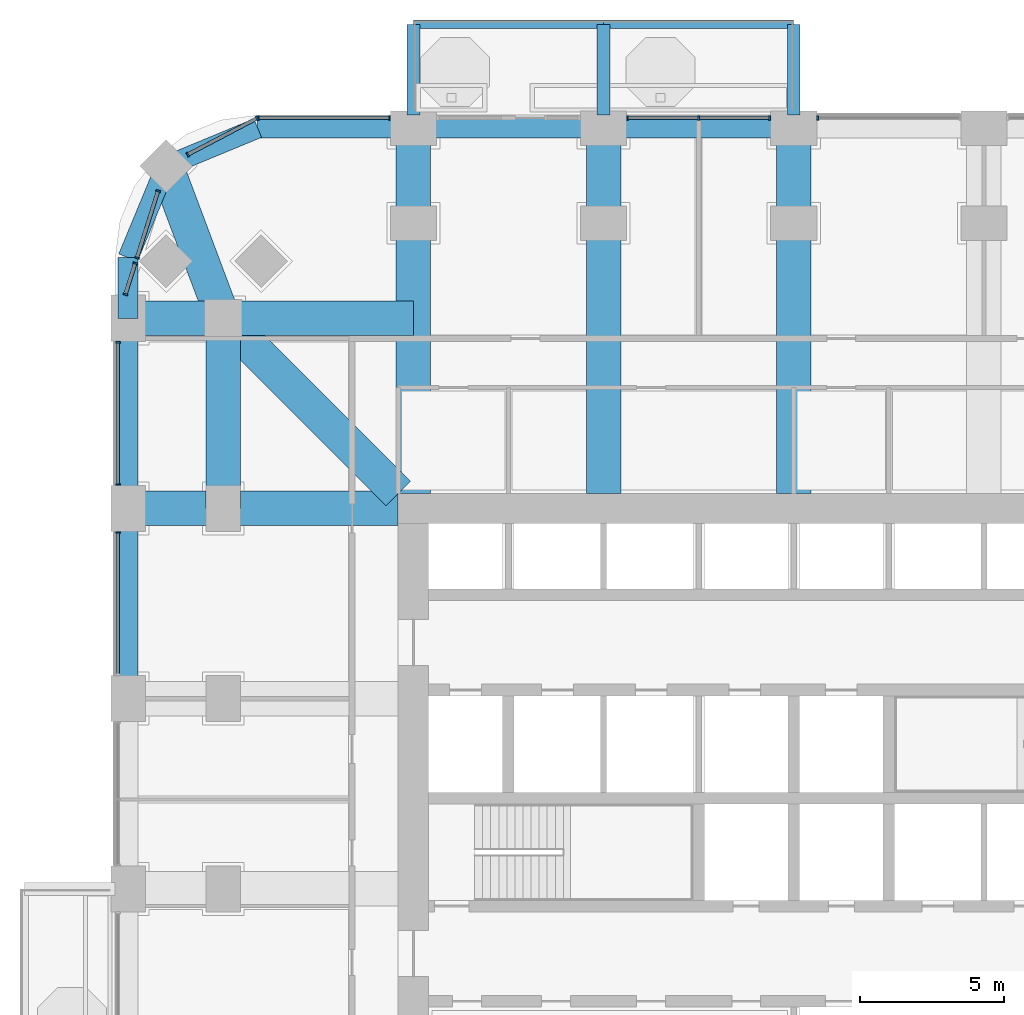
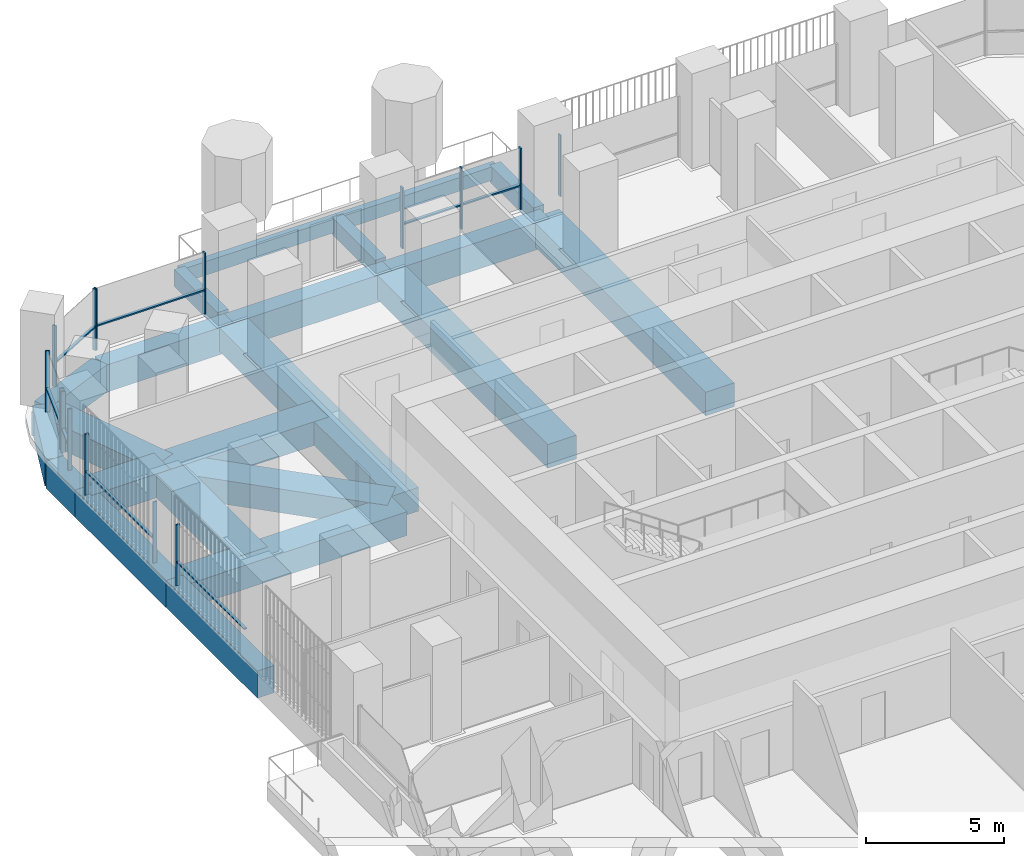
# One storey, part 6 of 21: 23 members, 22 beams, 8 elements without a shape of their own.
"""IFC4 building model written with IfcOpenShell, lengths in metres."""

from ifc_helpers import new_model, si_unit, direction, frame, origin, origin_2d, place, context, subcontext, project, spatial, rectangle, extrude, material, material_profile, profile_set, type_object, element, aggregate, save


model = new_model("IFC4")

# Units and contexts
model_context = context("Model", 3, precision=1e-05, world=origin(), true_north=direction((0.0, 1.0)))
body_context = subcontext(model_context, "Body", "Model", "MODEL_VIEW")
ifc_project = project(units=[si_unit("LENGTHUNIT", "METRE"), si_unit("AREAUNIT", "SQUARE_METRE"), si_unit("VOLUMEUNIT", "CUBIC_METRE"), si_unit("PLANEANGLEUNIT", "RADIAN"), si_unit("MASSUNIT", "GRAM", prefix="KILO")], contexts=[model_context])

# Site, building, storey
site_placement = place(None, origin())
site = spatial("IfcSite", under=ifc_project, at=site_placement, CompositionType="ELEMENT")
building_placement = place(site_placement, origin())
building = spatial("IfcBuilding", under=site, at=building_placement, Name="Cobogo Forest Laboratory Tower", CompositionType="ELEMENT")
storey_placement = place(building_placement, frame((0.0, 0.0, 99.0)))
storey = spatial("IfcBuildingStorey", under=building, at=storey_placement, Name="L22", CompositionType="ELEMENT", Elevation=99.0)

# Beams
ifc_material_1 = material(Name="Concrete HA-40 (C40/50)", Category="concrete")
ifc_material_profile_1 = material_profile(ifc_material_1, rectangle(XDim=0.449951171875, YDim=0.75, at=origin_2d()), Name="RC 450x750")
ifc_profile_set_1 = profile_set([ifc_material_profile_1], Name="Concrete HA-40 (C40/50)")
beam_type_1 = type_object("IfcBeamType", Name="Balcony cantilever beam 450x750", PredefinedType="BEAM", material=ifc_profile_set_1)
for number, where, z_axis, x_axis, name in (
    (1, (13.199951171875, 46.64990234375, -0.625), (0.0, 1.0, 0.0), (-1.0, 0.0, 0.0), "CB1 BAL-N1-C1 L22"),
    (2, (19.800048828125, 46.64990234375, -0.625), (0.0, 1.0, 0.0), (-1.0, 0.0, 0.0), "CB1 BAL-N1-C2 L22"),
    (3, (26.39990234375, 46.64990234375, -0.625), (0.0, 1.0, 0.0), (-1.0, 0.0, 0.0), "CB1 BAL-N1-C3 L22"),
):
    element("IfcBeam", number, at=place(storey_placement, frame(where, z_axis=z_axis, x_axis=x_axis)), inside=storey, type_object=beam_type_1, Name=name, PredefinedType="BEAM", context=body_context, shape_type="SweptSolid", body=[
        extrude(rectangle(XDim=0.449951171875, YDim=0.75, at=origin_2d()), origin(), (0.0, 0.0, 1.0), 3.150146484375),
    ])
ifc_material_profile_2 = material_profile(ifc_material_1, rectangle(XDim=0.300048828125, YDim=0.60009765625, at=origin_2d()), Name="RC 300x600")
ifc_profile_set_2 = profile_set([ifc_material_profile_2], Name="Concrete HA-40 (C40/50)")
beam_type_2 = type_object("IfcBeamType", Name="Balcony edge beam 300x600", PredefinedType="BEAM", material=ifc_profile_set_2)
beam_1_placement = place(storey_placement, frame((13.199951171875, 49.800048828125, -0.550048828125), z_axis=(1.0, 0.0, 0.0), x_axis=(0.0, 1.0, 0.0)))
element("IfcBeam", 4, at=beam_1_placement, inside=storey, type_object=beam_type_2, Name="BB1 BAL-N1-T1 L22", PredefinedType="BEAM", context=body_context, shape_type="SweptSolid", body=[
    extrude(rectangle(XDim=0.300048828125, YDim=0.60009765625, at=origin_2d()), origin(), (0.0, 0.0, 1.0), 6.60009765625),
])
beam_2_placement = place(storey_placement, frame((19.800048828125, 49.800048828125, -0.550048828125), z_axis=(1.0, 0.0, 0.0), x_axis=(0.0, 1.0, 0.0)))
element("IfcBeam", 5, at=beam_2_placement, inside=storey, type_object=beam_type_2, Name="BB1 BAL-N1-T2 L22", PredefinedType="BEAM", context=body_context, shape_type="SweptSolid", body=[
    extrude(rectangle(XDim=0.300048828125, YDim=0.60009765625, at=origin_2d()), origin(), (0.0, 0.0, 1.0), 6.599853515625),
])
ifc_material_profile_3 = material_profile(ifc_material_1, rectangle(XDim=1.199951171875, YDim=1.050048828125, at=origin_2d()), Name="RC 1200x1050")
ifc_profile_set_3 = profile_set([ifc_material_profile_3], Name="Concrete HA-40 (C40/50)")
beam_type_3 = type_object("IfcBeamType", Name="Laboratory floor wide beam 1200x1050", PredefinedType="BEAM", material=ifc_profile_set_3)
for number, where, z_axis, x_axis, name in (
    (6, (13.199951171875, 33.52490234375, -0.824951171875), (0.0, 1.0, 0.0), (-1.0, 0.0, 0.0), "RB1 R-3-N L22"),
    (7, (19.800048828125, 33.52490234375, -0.824951171875), (0.0, 1.0, 0.0), (-1.0, 0.0, 0.0), "RB1 R-4-N L22"),
    (8, (26.39990234375, 33.52490234375, -0.824951171875), (0.0, 1.0, 0.0), (-1.0, 0.0, 0.0), "RB1 R-5-N L22"),
):
    element("IfcBeam", number, at=place(storey_placement, frame(where, z_axis=z_axis, x_axis=x_axis)), inside=storey, type_object=beam_type_3, Name=name, PredefinedType="BEAM", context=body_context, shape_type="SweptSolid", body=[
        extrude(rectangle(XDim=1.199951171875, YDim=1.050048828125, at=origin_2d()), origin(), (0.0, 0.0, 1.0), 12.675048828125),
    ])
beam_3_placement = place(storey_placement, frame((12.675048828125, 33.0, -0.824951171875), z_axis=(-1.0, 0.0, 0.0), x_axis=(0.0, -1.0, 0.0)))
element("IfcBeam", 9, at=beam_3_placement, inside=storey, type_object=beam_type_3, Name="RB1 R-F-W L22", PredefinedType="BEAM", context=body_context, shape_type="SweptSolid", body=[
    extrude(rectangle(XDim=1.199951171875, YDim=1.050048828125, at=origin_2d()), origin(), (0.0, 0.0, 1.0), 9.375),
])
beam_4_placement = place(storey_placement, frame((6.60009765625, 39.60009765625, -0.824951171875), z_axis=(0.0, -1.0, 0.0), x_axis=(1.0, 0.0, 0.0)))
element("IfcBeam", 10, at=beam_4_placement, inside=storey, type_object=beam_type_3, Name="RB1 G-NW-XC L22", PredefinedType="BEAM", context=body_context, shape_type="SweptSolid", body=[
    extrude(rectangle(XDim=1.199951171875, YDim=1.050048828125, at=origin_2d()), origin(), (0.0, 0.0, 1.0), 6.60009765625),
])
beam_5_placement = place(storey_placement, frame((3.300048828125, 39.60009765625, -0.824951171875), z_axis=(1.0, 0.0, 0.0), x_axis=(0.0, 1.0, 0.0)))
element("IfcBeam", 11, at=beam_5_placement, inside=storey, type_object=beam_type_3, Name="RB1 G-NW-YF L22", PredefinedType="BEAM", context=body_context, shape_type="SweptSolid", body=[
    extrude(rectangle(XDim=1.199951171875, YDim=1.050048828125, at=origin_2d()), origin(), (0.0, 0.0, 1.0), 3.300048828125),
])
beam_6_placement = place(storey_placement, frame((6.60009765625, 39.60009765625, -0.824951171875), z_axis=(1.0, 0.0, 0.0), x_axis=(0.0, 1.0, 0.0)))
element("IfcBeam", 12, at=beam_6_placement, inside=storey, type_object=beam_type_3, Name="RB1 G-NW-YC L22", PredefinedType="BEAM", context=body_context, shape_type="SweptSolid", body=[
    extrude(rectangle(XDim=1.199951171875, YDim=1.050048828125, at=origin_2d()), origin(), (0.0, 0.0, 1.0), 6.599853515625),
])
beam_7_placement = place(storey_placement, frame((4.617919921875, 44.882080078125, -0.824951171875), z_axis=(0.351346325373, -0.936245565889, 0.0), x_axis=(0.936245565889, 0.351346325373, 0.0)))
element("IfcBeam", 13, at=beam_7_placement, inside=storey, type_object=beam_type_3, Name="RB1 G-NW-D1 L22", PredefinedType="BEAM", context=body_context, shape_type="SweptSolid", body=[
    extrude(rectangle(XDim=1.199951171875, YDim=1.050048828125, at=origin_2d()), origin(), (0.0, 0.0, 1.0), 5.6416015625),
])
beam_8_placement = place(storey_placement, frame((6.60009765625, 39.60009765625, -0.824951171875), z_axis=(0.707092572697, -0.70712098939, 0.0), x_axis=(0.70712098939, 0.707092572697, 0.0)))
element("IfcBeam", 14, at=beam_8_placement, inside=storey, type_object=beam_type_3, Name="RB1 G-NW-D2 L22", PredefinedType="BEAM", context=body_context, shape_type="SweptSolid", body=[
    extrude(rectangle(XDim=1.199951171875, YDim=1.050048828125, at=origin_2d()), origin(), (0.0, 0.0, 1.0), 8.591552734375),
])

# Curtain wall, member
ifc_material_2 = material(Name="Aluminium curtain wall", Category="aluminium")
curtain_wall_type = type_object("IfcCurtainWallType", Name="CW-1 unitised curtain wall, clear glazing, laboratory floors zones A and B", PredefinedType="USERDEFINED", material=ifc_material_2)
curtain_wall_1_placement = place(storey_placement, origin())
curtain_wall_1 = element("IfcCurtainWall", 15, at=curtain_wall_1_placement, inside=storey, type_object=curtain_wall_type, Name="Curtain wall 20 L22", ObjectType="UNITISED CURTAIN WALL", PredefinedType="USERDEFINED")
ifc_material_3 = material(Name="Aluminium mullion", Category="aluminium")
ifc_material_profile_4 = material_profile(ifc_material_3, rectangle(XDim=0.06005859375, YDim=0.159912109375, at=origin_2d()), Name="AL 60x160")
ifc_profile_set_4 = profile_set([ifc_material_profile_4], Name="Aluminium mullion")
member_type_1 = type_object("IfcMemberType", Name="MU-1 aluminium mullion 60x160", PredefinedType="MULLION", material=ifc_profile_set_4)
member_1_placement = place(storey_placement, frame((27.22998046875, 46.550048828125, 0.0), z_axis=(0.0, 0.0, 1.0), x_axis=(-1.0, 0.0, 0.0)))
member_1 = element("IfcMember", 16, at=member_1_placement, type_object=member_type_1, Name="CW-1 mullion 2", PredefinedType="MULLION", context=body_context, shape_type="SweptSolid", body=[
    extrude(rectangle(XDim=0.06005859375, YDim=0.159912109375, at=origin_2d()), origin(), (0.0, 0.0, 1.0), 2.699951171875),
])
aggregate(curtain_wall_1, [member_1])

# Curtain wall, members
curtain_wall_2_placement = place(storey_placement, origin())
curtain_wall_2 = element("IfcCurtainWall", 17, at=curtain_wall_2_placement, inside=storey, type_object=curtain_wall_type, Name="Curtain wall 21 L22", ObjectType="UNITISED CURTAIN WALL", PredefinedType="USERDEFINED")
member_2_placement = place(storey_placement, frame((25.570068359375, 46.550048828125, 0.0), z_axis=(0.0, 0.0, 1.0), x_axis=(-1.0, 0.0, 0.0)))
member_2 = element("IfcMember", 18, at=member_2_placement, type_object=member_type_1, Name="CW-1 mullion 1", PredefinedType="MULLION", context=body_context, shape_type="SweptSolid", body=[
    extrude(rectangle(XDim=0.06005859375, YDim=0.159912109375, at=origin_2d()), origin(), (0.0, 0.0, 1.0), 2.699951171875),
])
member_3_placement = place(storey_placement, frame((23.10009765625, 46.550048828125, 0.0), z_axis=(0.0, 0.0, 1.0), x_axis=(-1.0, 0.0, 0.0)))
member_3 = element("IfcMember", 19, at=member_3_placement, type_object=member_type_1, Name="CW-1 mullion 2", PredefinedType="MULLION", context=body_context, shape_type="SweptSolid", body=[
    extrude(rectangle(XDim=0.06005859375, YDim=0.159912109375, at=origin_2d()), origin(), (0.0, 0.0, 1.0), 2.699951171875),
])
member_4_placement = place(storey_placement, frame((20.6298828125, 46.550048828125, 0.0), z_axis=(0.0, 0.0, 1.0), x_axis=(-1.0, 0.0, 0.0)))
member_4 = element("IfcMember", 20, at=member_4_placement, type_object=member_type_1, Name="CW-1 mullion 3", PredefinedType="MULLION", context=body_context, shape_type="SweptSolid", body=[
    extrude(rectangle(XDim=0.06005859375, YDim=0.159912109375, at=origin_2d()), origin(), (0.0, 0.0, 1.0), 2.699951171875),
])

curtain_wall_3_placement = place(storey_placement, origin())
curtain_wall_3 = element("IfcCurtainWall", 21, at=curtain_wall_3_placement, inside=storey, type_object=curtain_wall_type, Name="Curtain wall 23 L22", ObjectType="UNITISED CURTAIN WALL", PredefinedType="USERDEFINED")
member_5_placement = place(storey_placement, frame((12.3701171875, 46.550048828125, 0.0), z_axis=(0.0, 0.0, 1.0), x_axis=(-1.0, 0.0, 0.0)))
member_5 = element("IfcMember", 22, at=member_5_placement, type_object=member_type_1, Name="CW-1 mullion 1", PredefinedType="MULLION", context=body_context, shape_type="SweptSolid", body=[
    extrude(rectangle(XDim=0.06005859375, YDim=0.159912109375, at=origin_2d()), origin(), (0.0, 0.0, 1.0), 2.699951171875),
])
member_6_placement = place(storey_placement, frame((7.830078125, 46.550048828125, 0.0), z_axis=(0.0, 0.0, 1.0), x_axis=(-1.0, 0.0, 0.0)))
member_6 = element("IfcMember", 23, at=member_6_placement, type_object=member_type_1, Name="CW-1 mullion 2", PredefinedType="MULLION", context=body_context, shape_type="SweptSolid", body=[
    extrude(rectangle(XDim=0.06005859375, YDim=0.159912109375, at=origin_2d()), origin(), (0.0, 0.0, 1.0), 2.699951171875),
])

curtain_wall_4_placement = place(storey_placement, origin())
curtain_wall_4 = element("IfcCurtainWall", 24, at=curtain_wall_4_placement, inside=storey, type_object=curtain_wall_type, Name="Curtain wall 24 L22", ObjectType="UNITISED CURTAIN WALL", PredefinedType="USERDEFINED")
member_7_placement = place(storey_placement, frame((7.7734375, 46.5361328125, 0.0), z_axis=(0.0, 0.0, 1.0), x_axis=(-0.885686547075, -0.464283685186, 0.0)))
member_7 = element("IfcMember", 25, at=member_7_placement, type_object=member_type_1, Name="CW-1 mullion 1", PredefinedType="MULLION", context=body_context, shape_type="SweptSolid", body=[
    extrude(rectangle(XDim=0.06005859375, YDim=0.159912109375, at=origin_2d()), origin(), (0.0, 0.0, 1.0), 2.699951171875),
])
member_8_placement = place(storey_placement, frame((5.368408203125, 45.275390625, 0.0), z_axis=(0.0, 0.0, 1.0), x_axis=(-0.885686547075, -0.464283685186, 0.0)))
member_8 = element("IfcMember", 26, at=member_8_placement, type_object=member_type_1, Name="CW-1 mullion 2", PredefinedType="MULLION", context=body_context, shape_type="SweptSolid", body=[
    extrude(rectangle(XDim=0.06005859375, YDim=0.159912109375, at=origin_2d()), origin(), (0.0, 0.0, 1.0), 2.699951171875),
])

curtain_wall_5_placement = place(storey_placement, origin())
curtain_wall_5 = element("IfcCurtainWall", 27, at=curtain_wall_5_placement, inside=storey, type_object=curtain_wall_type, Name="Curtain wall 25 L22", ObjectType="UNITISED CURTAIN WALL", PredefinedType="USERDEFINED")
member_9_placement = place(storey_placement, frame((4.34423828125, 44.01513671875, 0.0), z_axis=(0.0, 0.0, 1.0), x_axis=(-0.301135291996, -0.953581425949, 0.0)))
member_9 = element("IfcMember", 28, at=member_9_placement, type_object=member_type_1, Name="CW-1 mullion 1", PredefinedType="MULLION", context=body_context, shape_type="SweptSolid", body=[
    extrude(rectangle(XDim=0.06005859375, YDim=0.159912109375, at=origin_2d()), origin(), (0.0, 0.0, 1.0), 2.699951171875),
])
member_10_placement = place(storey_placement, frame((3.613037109375, 41.69970703125, 0.0), z_axis=(0.0, 0.0, 1.0), x_axis=(-0.301135291996, -0.953581425949, 0.0)))
member_10 = element("IfcMember", 29, at=member_10_placement, type_object=member_type_1, Name="CW-1 mullion 2", PredefinedType="MULLION", context=body_context, shape_type="SweptSolid", body=[
    extrude(rectangle(XDim=0.06005859375, YDim=0.159912109375, at=origin_2d()), origin(), (0.0, 0.0, 1.0), 2.699951171875),
])

curtain_wall_6_placement = place(storey_placement, origin())
curtain_wall_6 = element("IfcCurtainWall", 30, at=curtain_wall_6_placement, inside=storey, type_object=curtain_wall_type, Name="Curtain wall 26 L22", ObjectType="UNITISED CURTAIN WALL", PredefinedType="USERDEFINED")
member_11_placement = place(storey_placement, frame((3.55224609375, 41.507080078125, 0.0), z_axis=(0.0, 0.0, 1.0), x_axis=(-0.301135667865, -0.953581307252, 0.0)))
member_11 = element("IfcMember", 31, at=member_11_placement, type_object=member_type_1, Name="CW-1 mullion 1", PredefinedType="MULLION", context=body_context, shape_type="SweptSolid", body=[
    extrude(rectangle(XDim=0.06005859375, YDim=0.159912109375, at=origin_2d()), origin(), (0.0, 0.0, 1.0), 2.699951171875),
])
member_12_placement = place(storey_placement, frame((3.211669921875, 40.4287109375, 0.0), z_axis=(0.0, 0.0, 1.0), x_axis=(-0.301135667865, -0.953581307252, 0.0)))
member_12 = element("IfcMember", 32, at=member_12_placement, type_object=member_type_1, Name="CW-1 mullion 2", PredefinedType="MULLION", context=body_context, shape_type="SweptSolid", body=[
    extrude(rectangle(XDim=0.06005859375, YDim=0.159912109375, at=origin_2d()), origin(), (0.0, 0.0, 1.0), 2.699951171875),
])

curtain_wall_7_placement = place(storey_placement, origin())
curtain_wall_7 = element("IfcCurtainWall", 33, at=curtain_wall_7_placement, inside=storey, type_object=curtain_wall_type, Name="Curtain wall 27 L22", ObjectType="UNITISED CURTAIN WALL", PredefinedType="USERDEFINED")
member_13_placement = place(storey_placement, frame((2.949951171875, 38.77001953125, 0.0), z_axis=(0.0, 0.0, 1.0), x_axis=(0.0, -1.0, 0.0)))
member_13 = element("IfcMember", 34, at=member_13_placement, type_object=member_type_1, Name="CW-1 mullion 1", PredefinedType="MULLION", context=body_context, shape_type="SweptSolid", body=[
    extrude(rectangle(XDim=0.06005859375, YDim=0.159912109375, at=origin_2d()), origin(), (0.0, 0.0, 1.0), 2.699951171875),
])
member_14_placement = place(storey_placement, frame((2.949951171875, 33.830078125, 0.0), z_axis=(0.0, 0.0, 1.0), x_axis=(0.0, -1.0, 0.0)))
member_14 = element("IfcMember", 35, at=member_14_placement, type_object=member_type_1, Name="CW-1 mullion 2", PredefinedType="MULLION", context=body_context, shape_type="SweptSolid", body=[
    extrude(rectangle(XDim=0.06005859375, YDim=0.159912109375, at=origin_2d()), origin(), (0.0, 0.0, 1.0), 2.699951171875),
])

# Curtain wall, member
curtain_wall_8_placement = place(storey_placement, origin())
curtain_wall_8 = element("IfcCurtainWall", 36, at=curtain_wall_8_placement, inside=storey, type_object=curtain_wall_type, Name="Curtain wall 28 L22", ObjectType="UNITISED CURTAIN WALL", PredefinedType="USERDEFINED")
member_15_placement = place(storey_placement, frame((2.949951171875, 32.169921875, 0.0), z_axis=(0.0, 0.0, 1.0), x_axis=(0.0, -1.0, 0.0)))
member_15 = element("IfcMember", 37, at=member_15_placement, type_object=member_type_1, Name="CW-1 mullion 1", PredefinedType="MULLION", context=body_context, shape_type="SweptSolid", body=[
    extrude(rectangle(XDim=0.06005859375, YDim=0.159912109375, at=origin_2d()), origin(), (0.0, 0.0, 1.0), 2.699951171875),
])

# Beams
ifc_material_profile_5 = material_profile(ifc_material_1, rectangle(XDim=0.699951171875, YDim=1.199951171875, at=origin_2d()), Name="RC 700x1200")
ifc_profile_set_5 = profile_set([ifc_material_profile_5], Name="Concrete HA-40 (C40/50)")
beam_type_4 = type_object("IfcBeamType", Name="Perimeter edge beam 700x1200", PredefinedType="BEAM", material=ifc_profile_set_5)
beam_9_placement = place(storey_placement, frame((13.199951171875, 46.199951171875, -0.89990234375), z_axis=(1.0, 0.0, 0.0), x_axis=(0.0, 1.0, 0.0)))
element("IfcBeam", 38, at=beam_9_placement, inside=storey, type_object=beam_type_4, Name="EB1 E-N1 L22", PredefinedType="BEAM", context=body_context, shape_type="SweptSolid", body=[
    extrude(rectangle(XDim=0.699951171875, YDim=1.199951171875, at=origin_2d()), origin(), (0.0, 0.0, 1.0), 6.60009765625),
])
beam_10_placement = place(storey_placement, frame((19.800048828125, 46.199951171875, -0.89990234375), z_axis=(1.0, 0.0, 0.0), x_axis=(0.0, 1.0, 0.0)))
element("IfcBeam", 39, at=beam_10_placement, inside=storey, type_object=beam_type_4, Name="EB1 E-N2 L22", PredefinedType="BEAM", context=body_context, shape_type="SweptSolid", body=[
    extrude(rectangle(XDim=0.699951171875, YDim=1.199951171875, at=origin_2d()), origin(), (0.0, 0.0, 1.0), 6.599853515625),
])
for number, where, z_axis, x_axis, name in (
    (40, (3.300048828125, 26.39990234375, -0.89990234375), (0.0, 1.0, 0.0), (-1.0, 0.0, 0.0), "EB1 E-W4 L22"),
    (41, (3.300048828125, 33.0, -0.89990234375), (0.0, 1.0, 0.0), (-1.0, 0.0, 0.0), "EB1 E-W5 L22"),
):
    element("IfcBeam", number, at=place(storey_placement, frame(where, z_axis=z_axis, x_axis=x_axis)), inside=storey, type_object=beam_type_4, Name=name, PredefinedType="BEAM", context=body_context, shape_type="SweptSolid", body=[
        extrude(rectangle(XDim=0.699951171875, YDim=1.199951171875, at=origin_2d()), origin(), (0.0, 0.0, 1.0), 6.60009765625),
    ])
beam_11_placement = place(storey_placement, frame((13.199951171875, 46.199951171875, -0.89990234375), z_axis=(-1.0, 0.0, 0.0), x_axis=(0.0, -1.0, 0.0)))
element("IfcBeam", 42, at=beam_11_placement, inside=storey, type_object=beam_type_4, Name="EB1 E-NWN1 L22", PredefinedType="BEAM", context=body_context, shape_type="SweptSolid", body=[
    extrude(rectangle(XDim=0.699951171875, YDim=1.199951171875, at=origin_2d()), origin(), (0.0, 0.0, 1.0), 5.39990234375),
])
beam_12_placement = place(storey_placement, frame((7.800048828125, 46.199951171875, -0.89990234375), z_axis=(-0.923901072997, -0.382631424892, 0.0), x_axis=(0.382631424892, -0.923901072997, 0.0)))
element("IfcBeam", 43, at=beam_12_placement, inside=storey, type_object=beam_type_4, Name="EB1 E-NWN2 L22", PredefinedType="BEAM", context=body_context, shape_type="SweptSolid", body=[
    extrude(rectangle(XDim=0.699951171875, YDim=1.199951171875, at=origin_2d()), origin(), (0.0, 0.0, 1.0), 3.4443359375),
])
beam_13_placement = place(storey_placement, frame((3.300048828125, 39.60009765625, -0.89990234375), z_axis=(0.0, 1.0, 0.0), x_axis=(-1.0, 0.0, 0.0)))
element("IfcBeam", 44, at=beam_13_placement, inside=storey, type_object=beam_type_4, Name="EB1 E-NWW1 L22", PredefinedType="BEAM", context=body_context, shape_type="SweptSolid", body=[
    extrude(rectangle(XDim=0.699951171875, YDim=1.199951171875, at=origin_2d()), origin(), (0.0, 0.0, 1.0), 2.099853515625),
])
beam_14_placement = place(storey_placement, frame((3.300048828125, 41.699951171875, -0.89990234375), z_axis=(0.382631424892, 0.923901072997, 0.0), x_axis=(-0.923901072997, 0.382631424892, 0.0)))
element("IfcBeam", 45, at=beam_14_placement, inside=storey, type_object=beam_type_4, Name="EB1 E-NWW2 L22", PredefinedType="BEAM", context=body_context, shape_type="SweptSolid", body=[
    extrude(rectangle(XDim=0.699951171875, YDim=1.199951171875, at=origin_2d()), origin(), (0.0, 0.0, 1.0), 3.4443359375),
])

# Member
ifc_material_4 = material(Name="Aluminium transom", Category="aluminium")
ifc_material_profile_6 = material_profile(ifc_material_4, rectangle(XDim=0.1201171875, YDim=0.06005859375, at=origin_2d()), Name="AL 60x120")
ifc_profile_set_6 = profile_set([ifc_material_profile_6], Name="Aluminium transom")
member_type_2 = type_object("IfcMemberType", Name="TR-1 aluminium transom 60x120", PredefinedType="USERDEFINED", material=ifc_profile_set_6)
member_16_placement = place(storey_placement, frame((25.5400390625, 46.550048828125, 1.050048828125), z_axis=(-1.0, 0.0, 0.0), x_axis=(0.0, -1.0, 0.0)))
member_16 = element("IfcMember", 46, at=member_16_placement, type_object=member_type_2, Name="CW-1 transom 1.1", ObjectType="TRANSOM", PredefinedType="USERDEFINED", context=body_context, shape_type="SweptSolid", body=[
    extrude(rectangle(XDim=0.1201171875, YDim=0.06005859375, at=origin_2d()), origin(), (0.0, 0.0, 1.0), 2.41015625),
])

member_17_placement = place(storey_placement, frame((23.070068359375, 46.550048828125, 1.050048828125), z_axis=(-1.0, 0.0, 0.0), x_axis=(0.0, -1.0, 0.0)))
member_17 = element("IfcMember", 47, at=member_17_placement, type_object=member_type_2, Name="CW-1 transom 2.1", ObjectType="TRANSOM", PredefinedType="USERDEFINED", context=body_context, shape_type="SweptSolid", body=[
    extrude(rectangle(XDim=0.1201171875, YDim=0.06005859375, at=origin_2d()), origin(), (0.0, 0.0, 1.0), 2.41015625),
])

aggregate(curtain_wall_2, [member_2, member_3, member_4, member_16, member_17])

member_18_placement = place(storey_placement, frame((12.340087890625, 46.550048828125, 1.050048828125), z_axis=(-1.0, 0.0, 0.0), x_axis=(0.0, -1.0, 0.0)))
member_18 = element("IfcMember", 48, at=member_18_placement, type_object=member_type_2, Name="CW-1 transom 1.1", ObjectType="TRANSOM", PredefinedType="USERDEFINED", context=body_context, shape_type="SweptSolid", body=[
    extrude(rectangle(XDim=0.1201171875, YDim=0.06005859375, at=origin_2d()), origin(), (0.0, 0.0, 1.0), 4.47998046875),
])

aggregate(curtain_wall_3, [member_5, member_6, member_18])

member_19_placement = place(storey_placement, frame((7.746826171875, 46.522216796875, 1.050048828125), z_axis=(-0.885694740493, -0.464268054753, 0.0), x_axis=(0.464268054753, -0.885694740493, 0.0)))
member_19 = element("IfcMember", 49, at=member_19_placement, type_object=member_type_2, Name="CW-1 transom 1.1", ObjectType="TRANSOM", PredefinedType="USERDEFINED", context=body_context, shape_type="SweptSolid", body=[
    extrude(rectangle(XDim=0.1201171875, YDim=0.06005859375, at=origin_2d()), origin(), (0.0, 0.0, 1.0), 2.655517578125),
])

aggregate(curtain_wall_4, [member_7, member_8, member_19])

member_20_placement = place(storey_placement, frame((4.335205078125, 43.986328125, 1.050048828125), z_axis=(-0.301156039198, -0.953574873859, 0.0), x_axis=(0.953574873859, -0.301156039198, 0.0)))
member_20 = element("IfcMember", 50, at=member_20_placement, type_object=member_type_2, Name="CW-1 transom 1.1", ObjectType="TRANSOM", PredefinedType="USERDEFINED", context=body_context, shape_type="SweptSolid", body=[
    extrude(rectangle(XDim=0.1201171875, YDim=0.06005859375, at=origin_2d()), origin(), (0.0, 0.0, 1.0), 2.367919921875),
])

aggregate(curtain_wall_5, [member_9, member_10, member_20])

member_21_placement = place(storey_placement, frame((3.543212890625, 41.478515625, 1.050048828125), z_axis=(-0.3011422781, -0.953579219751, 0.0), x_axis=(0.953579219751, -0.3011422781, 0.0)))
member_21 = element("IfcMember", 51, at=member_21_placement, type_object=member_type_2, Name="CW-1 transom 1.1", ObjectType="TRANSOM", PredefinedType="USERDEFINED", context=body_context, shape_type="SweptSolid", body=[
    extrude(rectangle(XDim=0.1201171875, YDim=0.06005859375, at=origin_2d()), origin(), (0.0, 0.0, 1.0), 1.071044921875),
])

aggregate(curtain_wall_6, [member_11, member_12, member_21])

member_22_placement = place(storey_placement, frame((2.949951171875, 38.739990234375, 1.050048828125), z_axis=(0.0, -1.0, 0.0), x_axis=(1.0, 0.0, 0.0)))
member_22 = element("IfcMember", 52, at=member_22_placement, type_object=member_type_2, Name="CW-1 transom 1.1", ObjectType="TRANSOM", PredefinedType="USERDEFINED", context=body_context, shape_type="SweptSolid", body=[
    extrude(rectangle(XDim=0.1201171875, YDim=0.06005859375, at=origin_2d()), origin(), (0.0, 0.0, 1.0), 4.8798828125),
])

aggregate(curtain_wall_7, [member_13, member_14, member_22])

member_23_placement = place(storey_placement, frame((2.949951171875, 32.139892578125, 1.050048828125), z_axis=(0.0, -1.0, 0.0), x_axis=(1.0, 0.0, 0.0)))
member_23 = element("IfcMember", 53, at=member_23_placement, type_object=member_type_2, Name="CW-1 transom 1.1", ObjectType="TRANSOM", PredefinedType="USERDEFINED", context=body_context, shape_type="SweptSolid", body=[
    extrude(rectangle(XDim=0.1201171875, YDim=0.06005859375, at=origin_2d()), origin(), (0.0, 0.0, 1.0), 4.8798828125),
])

aggregate(curtain_wall_8, [member_15, member_23])

save(model, "model.ifc")
